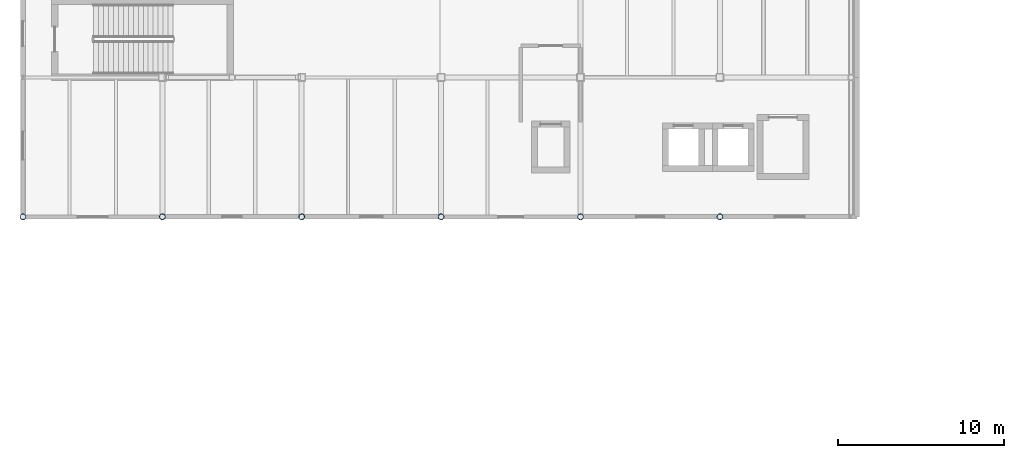
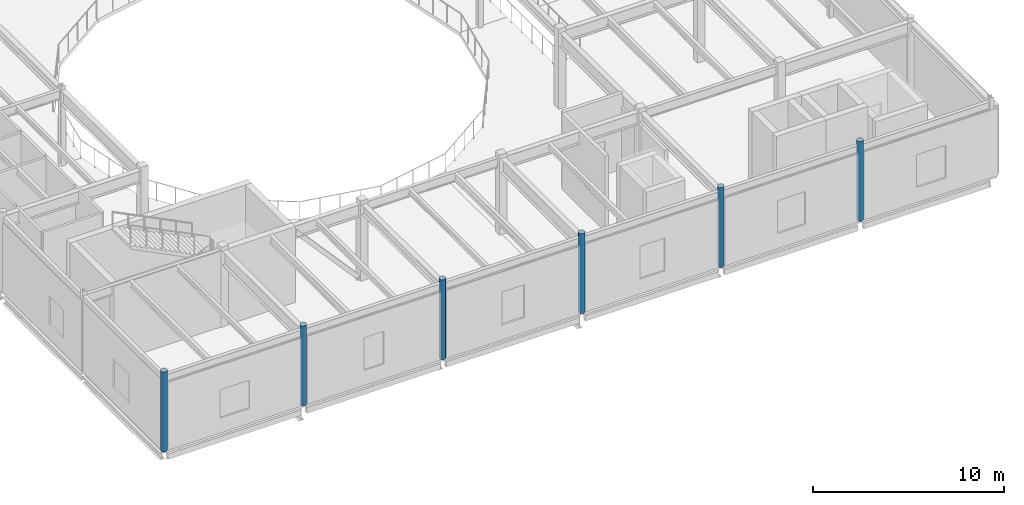
# One storey, part 1 of 57: 6 columns.
"""IFC4 building model written with IfcOpenShell, lengths in metres."""

from ifc_helpers import new_model, si_unit, direction, frame, origin, origin_2d, place, context, subcontext, project, spatial, hollow_circle, extrude, material, material_profile, profile_set, type_object, element, save


model = new_model("IFC4")

# Units and contexts
model_context = context("Model", 3, precision=1e-05, world=origin(), true_north=direction((0.0, 1.0)))
body_context = subcontext(model_context, "Body", "Model", "MODEL_VIEW")
ifc_project = project(units=[si_unit("LENGTHUNIT", "METRE"), si_unit("AREAUNIT", "SQUARE_METRE"), si_unit("VOLUMEUNIT", "CUBIC_METRE"), si_unit("PLANEANGLEUNIT", "RADIAN"), si_unit("MASSUNIT", "GRAM", prefix="KILO"), si_unit("THERMODYNAMICTEMPERATUREUNIT", "KELVIN")], contexts=[model_context])

# Site, building, storey
site_placement = place(None, origin())
site = spatial("IfcSite", under=ifc_project, at=site_placement, CompositionType="ELEMENT")
building_placement = place(site_placement, origin())
building = spatial("IfcBuilding", under=site, at=building_placement, Name="Lustrewick Department Store", CompositionType="ELEMENT")
storey_placement = place(building_placement, frame((0.0, 0.0, 26.699951171875)))
storey = spatial("IfcBuildingStorey", under=building, at=storey_placement, Name="L06", CompositionType="ELEMENT", Elevation=26.699951171875)

# Columns
ifc_material = material(Name="Structural steel Q355B", Category="steel")
ifc_material_profile = material_profile(ifc_material, hollow_circle(Radius=0.177978515625, WallThickness=0.013916015625, at=origin_2d()), Name="CHS 356x14")
ifc_profile_set = profile_set([ifc_material_profile], Name="Structural steel Q355B")
column_type = type_object("IfcColumnType", Name="CE05", PredefinedType="COLUMN", material=ifc_profile_set)
for number, where, z_axis, x_axis, name in (
    (1, (8.39990234375, 42.0, 0.0), (0.0, 0.0, 1.0), (1.0, 0.0, 0.0), "L06 V1 Column CE05"),
    (2, (16.800048828125, 42.0, 0.0), (0.0, 0.0, 1.0), (1.0, 0.0, 0.0), "L06 V1 Column CE05"),
    (3, (25.199951171875, 42.0, 0.0), (0.0, 0.0, 1.0), (1.0, 0.0, 0.0), "L06 V1 Column CE05"),
    (4, (33.60009765625, 42.0, 0.0), (0.0, 0.0, 1.0), (1.0, 0.0, 0.0), "L06 V1 Column CE05"),
    (5, (42.0, 42.0, 0.0), (0.0, 0.0, 1.0), (1.0, 0.0, 0.0), "L06 V1 Column CE05"),
    (6, (50.39990234375, 42.0, 0.0), (0.0, 0.0, 1.0), (1.0, 0.0, 0.0), "L06 V1 Column CE05"),
):
    element("IfcColumn", number, at=place(storey_placement, frame(where, z_axis=z_axis, x_axis=x_axis)), inside=storey, type_object=column_type, Name=name, PredefinedType="COLUMN", context=body_context, shape_type="SweptSolid", body=[
        extrude(hollow_circle(Radius=0.177978515625, WallThickness=0.013916015625, at=origin_2d()), origin(), (0.0, 0.0, 1.0), 5.10009765625),
    ])

save(model, "model.ifc")
